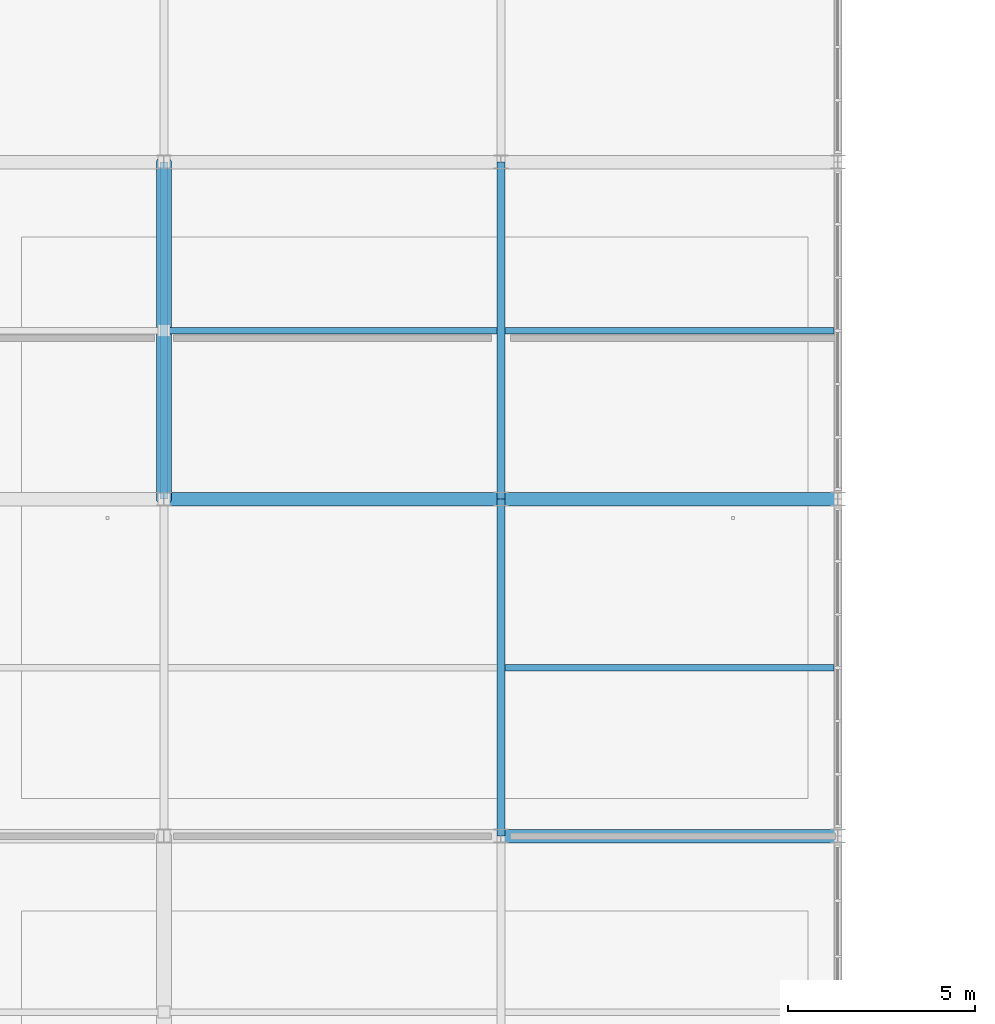
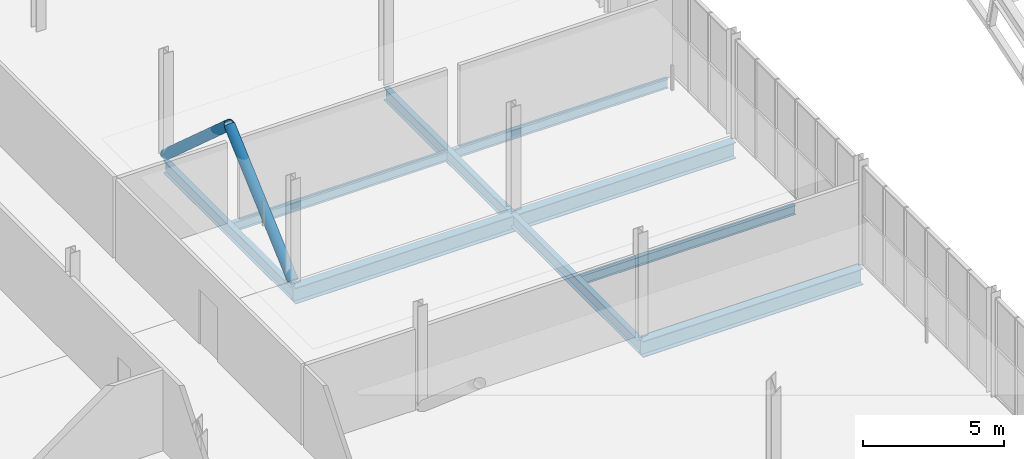
# One storey, part 28 of 103: 9 beams, 2 members.
"""IFC4 building model written with IfcOpenShell, lengths in metres."""

from ifc_helpers import new_model, si_unit, direction, frame, origin, origin_2d, place, context, subcontext, project, spatial, hollow_circle, i_section, extrude, material, material_profile, profile_set, type_object, element, save


model = new_model("IFC4")

# Units and contexts
model_context = context("Model", 3, precision=1e-05, world=origin(), true_north=direction((0.0, 1.0)))
body_context = subcontext(model_context, "Body", "Model", "MODEL_VIEW")
ifc_project = project(units=[si_unit("LENGTHUNIT", "METRE"), si_unit("AREAUNIT", "SQUARE_METRE"), si_unit("VOLUMEUNIT", "CUBIC_METRE"), si_unit("PLANEANGLEUNIT", "RADIAN"), si_unit("MASSUNIT", "GRAM", prefix="KILO")], contexts=[model_context])

# Site, building, storey
site_placement = place(None, origin())
site = spatial("IfcSite", under=ifc_project, at=site_placement, CompositionType="ELEMENT")
building_placement = place(site_placement, origin())
building = spatial("IfcBuilding", under=site, at=building_placement, Name="Cazmaro Siding Exhibition Halls", CompositionType="ELEMENT")
storey_placement = place(building_placement, frame((0.0, 0.0, 16.5)))
storey = spatial("IfcBuildingStorey", under=building, at=storey_placement, Name="L03", CompositionType="ELEMENT", Elevation=16.5)

# Beams
ifc_material_1 = material(Name="Steel ASTM A992 Grade 50", Category="steel")
ifc_material_profile_1 = material_profile(ifc_material_1, i_section(OverallWidth=0.214111328125, OverallDepth=0.549072265625, WebThickness=0.014892578125, FlangeThickness=0.02392578125, at=origin_2d()), Name="W21X93")
ifc_profile_set_1 = profile_set([ifc_material_profile_1], Name="Steel ASTM A992 Grade 50")
beam_type_1 = type_object("IfcBeamType", Name="B-01", PredefinedType="BEAM", material=ifc_profile_set_1)
for number, where, z_axis, x_axis, name in (
    (1, (18.0, 82.0, -0.493896484375), (0.0, 1.0, 0.0), (-1.0, 0.0, 0.0), "Beam B-01 BM-2257"),
    (2, (27.0, 73.0, -0.493896484375), (0.0, 1.0, 0.0), (-1.0, 0.0, 0.0), "Beam B-01 BM-2264"),
    (3, (27.0, 82.0, -0.493896484375), (0.0, 1.0, 0.0), (-1.0, 0.0, 0.0), "Beam B-01 BM-2265"),
):
    element("IfcBeam", number, at=place(storey_placement, frame(where, z_axis=z_axis, x_axis=x_axis)), inside=storey, type_object=beam_type_1, Name=name, PredefinedType="BEAM", context=body_context, shape_type="SweptSolid", body=[
        extrude(i_section(OverallWidth=0.214111328125, OverallDepth=0.549072265625, WebThickness=0.014892578125, FlangeThickness=0.02392578125, at=origin_2d()), origin(), (0.0, 0.0, 1.0), 9.0),
    ])
ifc_material_2 = material(Name="Steel ASTM A992 Grade 50", Category="steel")
ifc_material_profile_2 = material_profile(ifc_material_2, i_section(OverallWidth=0.35595703125, OverallDepth=0.696044921875, WebThickness=0.014892578125, FlangeThickness=0.02490234375, at=origin_2d()), Name="W27X146")
ifc_profile_set_2 = profile_set([ifc_material_profile_2], Name="Steel ASTM A992 Grade 50")
beam_type_2 = type_object("IfcBeamType", Name="G-05", PredefinedType="USERDEFINED", material=ifc_profile_set_2)
for number, where, z_axis, x_axis, name in (
    (4, (18.0, 82.0, -0.568115234375), (1.0, 0.0, 0.0), (0.0, 1.0, 0.0), "Beam G-05 BM-2207"),
    (5, (27.0, 73.0, -0.568115234375), (1.0, 0.0, 0.0), (0.0, 1.0, 0.0), "Beam G-05 BM-2223"),
    (6, (27.0, 82.0, -0.568115234375), (1.0, 0.0, 0.0), (0.0, 1.0, 0.0), "Beam G-05 BM-2224"),
):
    element("IfcBeam", number, at=place(storey_placement, frame(where, z_axis=z_axis, x_axis=x_axis)), inside=storey, type_object=beam_type_2, Name=name, ObjectType="GIRDER", PredefinedType="USERDEFINED", context=body_context, shape_type="SweptSolid", body=[
        extrude(i_section(OverallWidth=0.35595703125, OverallDepth=0.696044921875, WebThickness=0.014892578125, FlangeThickness=0.02490234375, at=origin_2d()), origin(), (0.0, 0.0, 1.0), 9.0),
    ])
ifc_material_3 = material(Name="Steel ASTM A992 Grade 50", Category="steel")
ifc_material_profile_3 = material_profile(ifc_material_3, i_section(OverallWidth=0.177978515625, OverallDepth=0.406005859375, WebThickness=0.008056640625, FlangeThickness=0.012939453125, at=origin_2d()), Name="W16X40")
ifc_profile_set_3 = profile_set([ifc_material_profile_3], Name="Steel ASTM A992 Grade 50")
beam_type_3 = type_object("IfcBeamType", Name="J-02", PredefinedType="JOIST", material=ifc_profile_set_3)
for number, where, z_axis, x_axis, name in (
    (7, (18.10693359375, 86.5, -0.423095703125), (1.0, 0.0, 0.0), (0.0, 1.0, 0.0), "Beam J-02 BM-2216"),
    (8, (27.10693359375, 77.5, -0.423095703125), (1.0, 0.0, 0.0), (0.0, 1.0, 0.0), "Beam J-02 BM-2232"),
    (9, (27.10693359375, 86.5, -0.423095703125), (1.0, 0.0, 0.0), (0.0, 1.0, 0.0), "Beam J-02 BM-2233"),
):
    element("IfcBeam", number, at=place(storey_placement, frame(where, z_axis=z_axis, x_axis=x_axis)), inside=storey, type_object=beam_type_3, Name=name, PredefinedType="JOIST", context=body_context, shape_type="SweptSolid", body=[
        extrude(i_section(OverallWidth=0.177978515625, OverallDepth=0.406005859375, WebThickness=0.008056640625, FlangeThickness=0.012939453125, at=origin_2d()), origin(), (0.0, 0.0, 1.0), 8.7861328125),
    ])

# Members
ifc_material_4 = material(Name="Steel ASTM A500 Grade C", Category="steel")
ifc_material_profile_4 = material_profile(ifc_material_4, hollow_circle(Radius=0.202880859375, WallThickness=0.012939453125, at=origin_2d()), Name="PIPE16XS")
ifc_profile_set_4 = profile_set([ifc_material_profile_4], Name="Steel ASTM A500 Grade C")
member_type = type_object("IfcMemberType", Name="WB-04", PredefinedType="BRACE", material=ifc_profile_set_4)
for number, where, z_axis, x_axis, name in (
    (10, (18.0, 82.0, 0.0), (0.0, 0.746423185921, 0.665471582804), (-1.0, 0.0, 0.0), "BRBF lateral brace WB-04 MEM-3444"),
    (11, (18.0, 91.0, 0.0), (0.0, -0.746423185921, 0.665471582804), (1.0, 0.0, 0.0), "BRBF lateral brace WB-04 MEM-3445"),
):
    element("IfcMember", number, at=place(storey_placement, frame(where, z_axis=z_axis, x_axis=x_axis)), inside=storey, type_object=member_type, Name=name, PredefinedType="BRACE", context=body_context, shape_type="SweptSolid", body=[
        extrude(hollow_circle(Radius=0.202880859375, WallThickness=0.012939453125, at=origin_2d()), origin(), (0.0, 0.0, 1.0), 6.02880859375),
    ])

save(model, "model.ifc")
